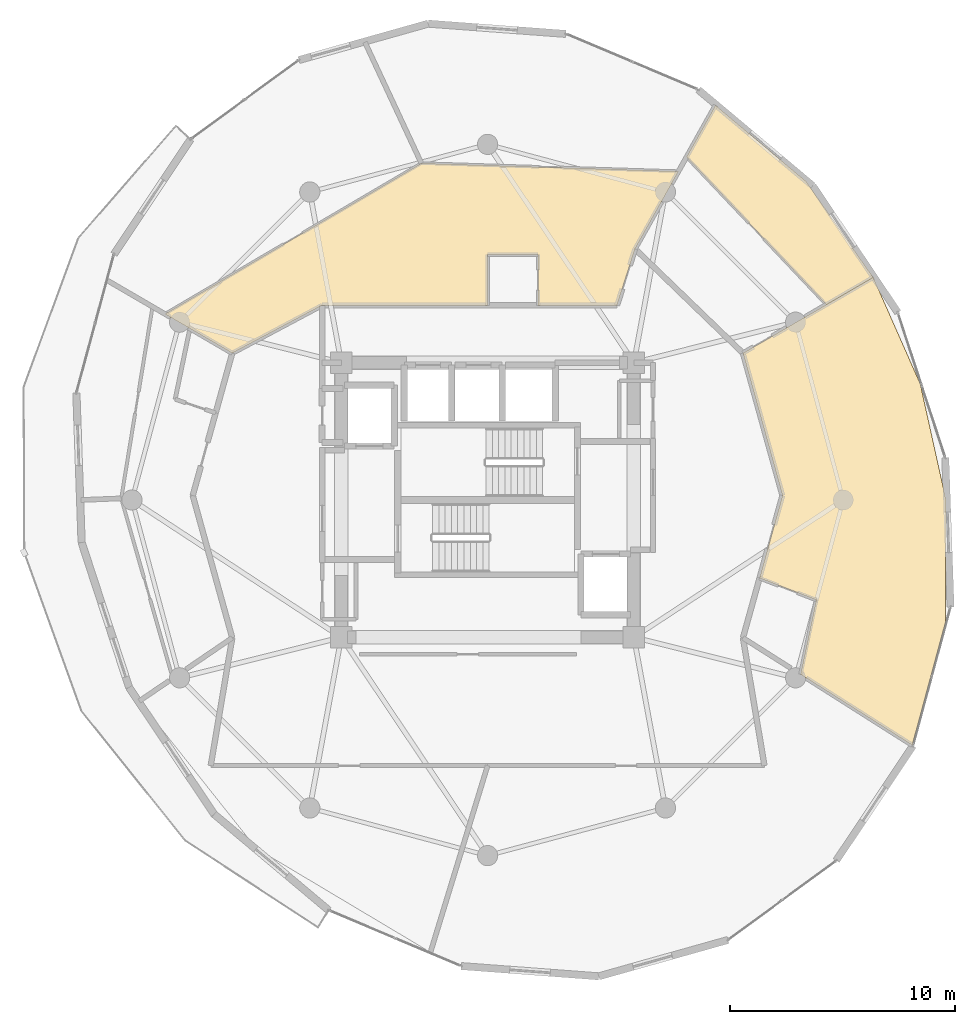
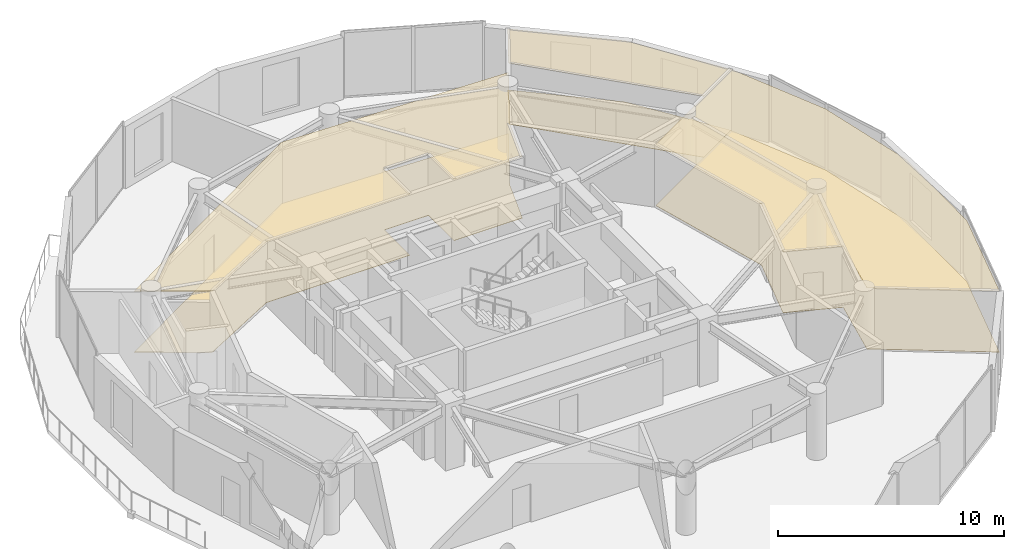
# One storey, part 18 of 18: 6 coverings.
"""IFC4 building model written with IfcOpenShell, lengths in metres."""

from ifc_helpers import new_model, si_unit, direction, frame, origin, place, context, subcontext, project, spatial, polyline, outline, extrude, material, layer, layer_set, type_object, element, save


model = new_model("IFC4")

# Units and contexts
model_context = context("Model", 3, precision=1e-05, world=origin(), true_north=direction((0.0, 1.0)))
body_context = subcontext(model_context, "Body", "Model", "MODEL_VIEW")
ifc_project = project(units=[si_unit("LENGTHUNIT", "METRE"), si_unit("AREAUNIT", "SQUARE_METRE"), si_unit("VOLUMEUNIT", "CUBIC_METRE"), si_unit("PLANEANGLEUNIT", "RADIAN"), si_unit("MASSUNIT", "GRAM", prefix="KILO")], contexts=[model_context])

# Site, building, storey
site_placement = place(None, origin())
site = spatial("IfcSite", under=ifc_project, at=site_placement, CompositionType="ELEMENT")
building_placement = place(site_placement, origin())
building = spatial("IfcBuilding", under=site, at=building_placement, Name="Solvirekh Grand Hotel", CompositionType="ELEMENT")
storey_placement = place(building_placement, frame((0.0, 0.0, 202.0)))
storey = spatial("IfcBuildingStorey", under=building, at=storey_placement, Name="L52", CompositionType="ELEMENT", Elevation=202.0)

# Coverings
ifc_material_1 = material(Name="Acoustic Mineral Ceiling Tile")
ifc_layer_1 = layer(ifc_material_1, 0.02490234375)
ifc_layer_set_1 = layer_set([ifc_layer_1], Name="Acoustic Mineral Ceiling Tile")
covering_type_1 = type_object("IfcCoveringType", Name="Cov_Ceiling_Acoustic", PredefinedType="CEILING", material=ifc_layer_set_1)
covering_1_placement = place(storey_placement, frame((0.0, 0.0, 3.31005859375)))
element("IfcCovering", 1, at=covering_1_placement, inside=storey, type_object=covering_type_1, Name="L52 Panorama Suite 5401 Inner Suite Lounge acoustic ceiling", PredefinedType="CEILING", context=body_context, shape_type="SweptSolid", body=[
    extrude(outline(polyline([(0.0, 8.64990234375), (0.0, 10.89990234375), (2.25, 10.89990234375), (2.25, 8.64990234375), (5.75, 8.64990234375), (6.550048828125, 11.155029296875), (8.47998046875, 14.60107421875), (-2.94189453125, 14.958984375), (-14.3330078125, 8.263916015625), (-11.344970703125, 6.52490234375), (-7.35009765625, 8.64990234375), (0.0, 8.64990234375)])), origin(), (0.0, 0.0, 1.0), 0.017822265625),
])
covering_2_placement = place(storey_placement, frame((0.0, 0.0, 3.31005859375)))
element("IfcCovering", 2, at=covering_2_placement, inside=storey, type_object=covering_type_1, Name="L52 Diplomatic Suite 5403 Living Room acoustic ceiling", PredefinedType="CEILING", context=body_context, shape_type="SweptSolid", body=[
    extrude(outline(polyline([(14.60302734375, -4.43798828125), (13.903076171875, -7.74609375), (18.867919921875, -10.89404296875), (20.340087890625, -5.449951171875), (20.364013671875, 0.0), (19.22509765625, 5.15087890625), (17.131103515625, 9.889892578125), (11.344970703125, 6.52490234375), (13.10009765625, 0.199951171875), (12.08203125, -3.468994140625), (14.60302734375, -4.43798828125)])), origin(), (0.0, 0.0, 1.0), 0.017822265625),
])
covering_3_placement = place(storey_placement, frame((0.0, 0.0, 3.31005859375)))
element("IfcCovering", 3, at=covering_3_placement, inside=storey, type_object=covering_type_1, Name="L52 Diplomatic Suite 5403 Master Bedroom acoustic ceiling", PredefinedType="CEILING", context=body_context, shape_type="SweptSolid", body=[
    extrude(outline(polyline([(17.131103515625, 9.889892578125), (14.154052734375, 14.154052734375), (10.125, 17.537109375), (8.837890625, 15.239013671875), (15.048095703125, 8.678955078125), (17.131103515625, 9.889892578125)])), origin(), (0.0, 0.0, 1.0), 0.017822265625),
])
ifc_material_2 = material(Name="Porcelain Stoneware Flooring", Category="masonry")
ifc_layer_2 = layer(ifc_material_2, 0.030029296875)
ifc_layer_set_2 = layer_set([ifc_layer_2], Name="Porcelain Stoneware Flooring")
covering_type_2 = type_object("IfcCoveringType", Name="Cov_Floor_Stone", PredefinedType="FLOORING", material=ifc_layer_set_2)
covering_4_placement = place(storey_placement, origin())
element("IfcCovering", 4, at=covering_4_placement, inside=storey, type_object=covering_type_2, Name="L52 Panorama Suite 5401 Inner Suite Lounge polished granite flooring", PredefinedType="FLOORING", context=body_context, shape_type="SweptSolid", body=[
    extrude(outline(polyline([(0.0, 8.64990234375), (0.0, 10.89990234375), (2.25, 10.89990234375), (2.25, 8.64990234375), (5.75, 8.64990234375), (6.550048828125, 11.155029296875), (8.47998046875, 14.60107421875), (-2.94189453125, 14.958984375), (-14.3330078125, 8.263916015625), (-11.344970703125, 6.52490234375), (-7.35009765625, 8.64990234375), (0.0, 8.64990234375)])), origin(), (0.0, 0.0, 1.0), 0.02001953125),
])
covering_5_placement = place(storey_placement, origin())
element("IfcCovering", 5, at=covering_5_placement, inside=storey, type_object=covering_type_2, Name="L52 Diplomatic Suite 5403 Living Room polished granite flooring", PredefinedType="FLOORING", context=body_context, shape_type="SweptSolid", body=[
    extrude(outline(polyline([(14.60302734375, -4.43798828125), (13.903076171875, -7.74609375), (18.867919921875, -10.89404296875), (20.340087890625, -5.449951171875), (20.364013671875, 0.0), (19.22509765625, 5.15087890625), (17.131103515625, 9.889892578125), (11.344970703125, 6.52490234375), (13.10009765625, 0.199951171875), (12.08203125, -3.468994140625), (14.60302734375, -4.43798828125)])), origin(), (0.0, 0.0, 1.0), 0.02001953125),
])
covering_6_placement = place(storey_placement, origin())
element("IfcCovering", 6, at=covering_6_placement, inside=storey, type_object=covering_type_2, Name="L52 Diplomatic Suite 5403 Master Bedroom polished granite flooring", PredefinedType="FLOORING", context=body_context, shape_type="SweptSolid", body=[
    extrude(outline(polyline([(17.131103515625, 9.889892578125), (14.154052734375, 14.154052734375), (10.125, 17.537109375), (8.837890625, 15.239013671875), (15.048095703125, 8.678955078125), (17.131103515625, 9.889892578125)])), origin(), (0.0, 0.0, 1.0), 0.02001953125),
])

save(model, "model.ifc")
